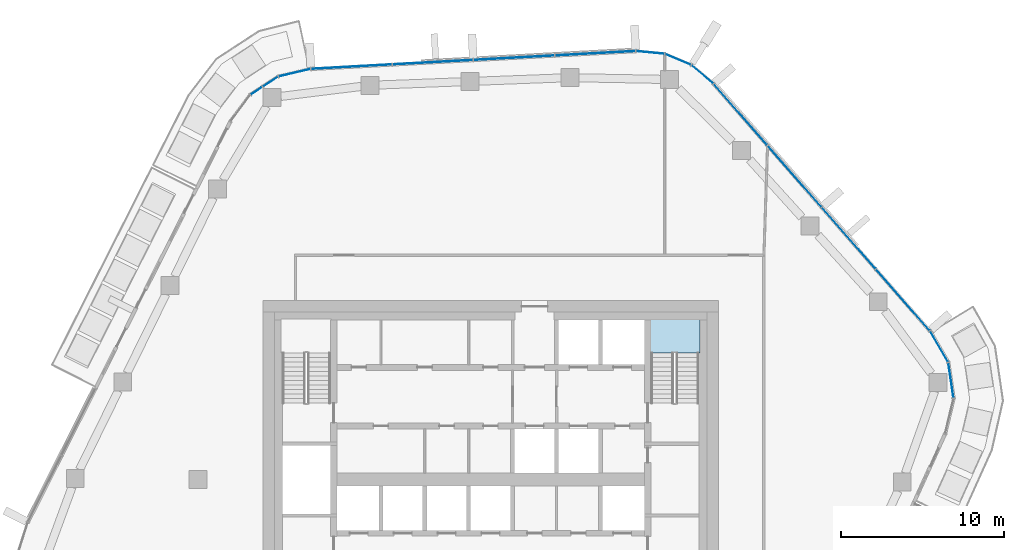
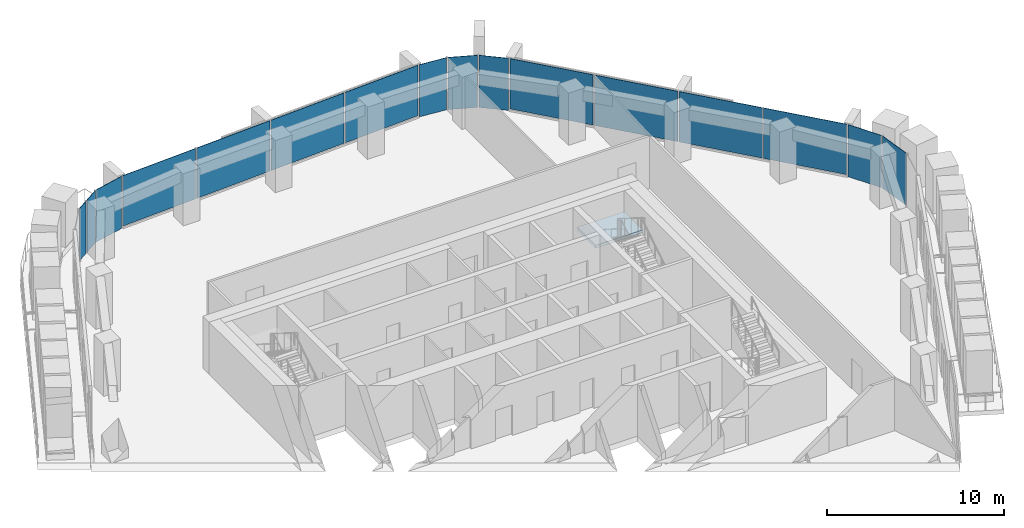
# One storey, part 10 of 21: 16 plates, 1 slab, 7 elements without a shape of their own.
"""IFC4 building model written with IfcOpenShell, lengths in metres."""

from ifc_helpers import new_model, si_unit, direction, frame, origin, origin_2d, place, context, subcontext, project, spatial, polyline, rectangle, outline, extrude, material, layer, layer_set, type_object, element, aggregate, save


model = new_model("IFC4")

# Units and contexts
model_context = context("Model", 3, precision=1e-05, world=origin(), true_north=direction((0.0, 1.0)))
body_context = subcontext(model_context, "Body", "Model", "MODEL_VIEW")
ifc_project = project(units=[si_unit("LENGTHUNIT", "METRE"), si_unit("AREAUNIT", "SQUARE_METRE"), si_unit("VOLUMEUNIT", "CUBIC_METRE"), si_unit("PLANEANGLEUNIT", "RADIAN"), si_unit("MASSUNIT", "GRAM", prefix="KILO")], contexts=[model_context])

# Site, building, storey
site_placement = place(None, origin())
site = spatial("IfcSite", under=ifc_project, at=site_placement, CompositionType="ELEMENT")
building_placement = place(site_placement, origin())
building = spatial("IfcBuilding", under=site, at=building_placement, Name="Dongbaek Canopy Tower", CompositionType="ELEMENT")
storey_placement = place(building_placement, frame((0.0, 0.0, 279.0)))
storey = spatial("IfcBuildingStorey", under=building, at=storey_placement, Name="L59", CompositionType="ELEMENT", Elevation=279.0)

# Curtain wall, plates
ifc_material_1 = material(Name="Aluminium 6063-T6 pale anodised", Category="aluminium")
ifc_layer_1 = layer(ifc_material_1, 0.199951171875)
ifc_layer_set_1 = layer_set([ifc_layer_1], Name="CW-1 unitised tower curtain wall")
curtain_wall_type = type_object("IfcCurtainWallType", Name="CW-1 unitised tower curtain wall", PredefinedType="NOTDEFINED", material=ifc_layer_set_1)
curtain_wall_1_placement = place(storey_placement, origin())
curtain_wall_1 = element("IfcCurtainWall", 1, at=curtain_wall_1_placement, inside=storey, type_object=curtain_wall_type, Name="CW-1 curtain wall K0.1", PredefinedType="NOTDEFINED")
ifc_material_2 = material(Name="Clear laminated glass", Category="glass")
ifc_layer_2 = layer(ifc_material_2, 0.028076171875)
ifc_layer_set_2 = layer_set([ifc_layer_2], Name="CW-1 glazed panel 28")
plate_type = type_object("IfcPlateType", Name="CW-1 glazed panel 28", PredefinedType="CURTAIN_PANEL", material=ifc_layer_set_2)
plate_1_placement = place(storey_placement, frame((28.2978515625, 6.101806640625, 0.0), z_axis=(0.0, 0.0, 1.0), x_axis=(-0.14581140322, 0.989312405002, 0.0)))
plate_1 = element("IfcPlate", 2, at=plate_1_placement, type_object=plate_type, Name="CW-1 panel K0.1.2.1", PredefinedType="CURTAIN_PANEL", context=body_context, shape_type="SweptSolid", body=[
    extrude(rectangle(XDim=2.155517578125, YDim=0.028076171875, at=origin_2d()), origin(), (0.0, 0.0, 1.0), 3.60009765625),
])
plate_2_placement = place(storey_placement, frame((27.567626953125, 8.180908203125, 0.0), z_axis=(0.0, 0.0, 1.0), x_axis=(-0.504092961895, 0.863649399796, 0.0)))
plate_2 = element("IfcPlate", 3, at=plate_2_placement, type_object=plate_type, Name="CW-1 panel K0.1.3.1", PredefinedType="CURTAIN_PANEL", context=body_context, shape_type="SweptSolid", body=[
    extrude(rectangle(XDim=2.165283203125, YDim=0.028076171875, at=origin_2d()), origin(), (0.0, 0.0, 1.0), 3.60009765625),
])
aggregate(curtain_wall_1, [plate_1, plate_2])

curtain_wall_2_placement = place(storey_placement, origin())
curtain_wall_2 = element("IfcCurtainWall", 4, at=curtain_wall_2_placement, inside=storey, type_object=curtain_wall_type, Name="CW-1 curtain wall F0.1", PredefinedType="NOTDEFINED")
plate_3_placement = place(storey_placement, frame((25.340087890625, 11.04833984375, 0.1201171875), z_axis=(0.0, 0.0, 1.0), x_axis=(-0.658881235735, 0.752246978855, 0.0)))
plate_3 = element("IfcPlate", 5, at=plate_3_placement, type_object=plate_type, Name="CW-1 panel F0.1.1.1", PredefinedType="CURTAIN_PANEL", context=body_context, shape_type="SweptSolid", body=[
    extrude(rectangle(XDim=4.95703125, YDim=0.028076171875, at=origin_2d()), origin(), (0.0, 0.0, 1.0), 3.47998046875),
])
plate_4_placement = place(storey_placement, frame((22.015380859375, 14.843994140625, 0.1201171875), z_axis=(0.0, 0.0, 1.0), x_axis=(-0.658881235735, 0.752246978855, 0.0)))
plate_4 = element("IfcPlate", 6, at=plate_4_placement, type_object=plate_type, Name="CW-1 panel F0.1.2.1", PredefinedType="CURTAIN_PANEL", context=body_context, shape_type="SweptSolid", body=[
    extrude(rectangle(XDim=4.966796875, YDim=0.028076171875, at=origin_2d()), origin(), (0.0, 0.0, 1.0), 3.47998046875),
])
plate_5_placement = place(storey_placement, frame((18.6875, 18.643310546875, 0.1201171875), z_axis=(0.0, 0.0, 1.0), x_axis=(-0.658881235735, 0.752246978855, 0.0)))
plate_5 = element("IfcPlate", 7, at=plate_5_placement, type_object=plate_type, Name="CW-1 panel F0.1.3.1", PredefinedType="CURTAIN_PANEL", context=body_context, shape_type="SweptSolid", body=[
    extrude(rectangle(XDim=4.966796875, YDim=0.028076171875, at=origin_2d()), origin(), (0.0, 0.0, 1.0), 3.47998046875),
])
plate_6_placement = place(storey_placement, frame((15.362060546875, 22.43994140625, 0.1201171875), z_axis=(0.0, 0.0, 1.0), x_axis=(-0.658881235735, 0.752246978855, 0.0)))
plate_6 = element("IfcPlate", 8, at=plate_6_placement, type_object=plate_type, Name="CW-1 panel F0.1.4.1", PredefinedType="CURTAIN_PANEL", context=body_context, shape_type="SweptSolid", body=[
    extrude(rectangle(XDim=4.959228515625, YDim=0.028076171875, at=origin_2d()), origin(), (0.0, 0.0, 1.0), 3.47998046875),
])
aggregate(curtain_wall_2, [plate_3, plate_4, plate_5, plate_6])

curtain_wall_3_placement = place(storey_placement, origin())
curtain_wall_3 = element("IfcCurtainWall", 9, at=curtain_wall_3_placement, inside=storey, type_object=curtain_wall_type, Name="CW-1 curtain wall K1.1", PredefinedType="NOTDEFINED")
plate_7_placement = place(storey_placement, frame((13.01904296875, 24.911376953125, 0.0), z_axis=(0.0, 0.0, 1.0), x_axis=(-0.764577382516, 0.644531943464, 0.0)))
plate_7 = element("IfcPlate", 10, at=plate_7_placement, type_object=plate_type, Name="CW-1 panel K1.1.1.1", PredefinedType="CURTAIN_PANEL", context=body_context, shape_type="SweptSolid", body=[
    extrude(rectangle(XDim=1.698974609375, YDim=0.028076171875, at=origin_2d()), origin(), (0.0, 0.0, 1.0), 3.60009765625),
])
plate_8_placement = place(storey_placement, frame((11.519287109375, 25.830322265625, 0.0), z_axis=(0.0, 0.0, 1.0), x_axis=(-0.921721164956, 0.387853186234, 0.0)))
plate_8 = element("IfcPlate", 11, at=plate_8_placement, type_object=plate_type, Name="CW-1 panel K1.1.2.1", PredefinedType="CURTAIN_PANEL", context=body_context, shape_type="SweptSolid", body=[
    extrude(rectangle(XDim=1.69140625, YDim=0.028076171875, at=origin_2d()), origin(), (0.0, 0.0, 1.0), 3.60009765625),
])
plate_9_placement = place(storey_placement, frame((9.813720703125, 26.26025390625, 0.0), z_axis=(0.0, 0.0, 1.0), x_axis=(-0.995377146905, 0.09604340383, 0.0)))
plate_9 = element("IfcPlate", 12, at=plate_9_placement, type_object=plate_type, Name="CW-1 panel K1.1.3.1", PredefinedType="CURTAIN_PANEL", context=body_context, shape_type="SweptSolid", body=[
    extrude(rectangle(XDim=1.698974609375, YDim=0.028076171875, at=origin_2d()), origin(), (0.0, 0.0, 1.0), 3.60009765625),
])
aggregate(curtain_wall_3, [plate_7, plate_8, plate_9])

curtain_wall_4_placement = place(storey_placement, origin())
curtain_wall_4 = element("IfcCurtainWall", 13, at=curtain_wall_4_placement, inside=storey, type_object=curtain_wall_type, Name="CW-1 curtain wall F1.1", PredefinedType="NOTDEFINED")
plate_10_placement = place(storey_placement, frame((6.43115234375, 26.208740234375, 0.1201171875), z_axis=(0.0, 0.0, 1.0), x_axis=(-0.998495395292, -0.054835623277, 0.0)))
plate_10 = element("IfcPlate", 14, at=plate_10_placement, type_object=plate_type, Name="CW-1 panel F1.1.1.1", PredefinedType="CURTAIN_PANEL", context=body_context, shape_type="SweptSolid", body=[
    extrude(rectangle(XDim=4.913818359375, YDim=0.028076171875, at=origin_2d()), origin(), (0.0, 0.0, 1.0), 3.47998046875),
])
plate_11_placement = place(storey_placement, frame((1.437255859375, 25.9345703125, 0.1201171875), z_axis=(0.0, 0.0, 1.0), x_axis=(-0.998495395292, -0.054835623277, 0.0)))
plate_11 = element("IfcPlate", 15, at=plate_11_placement, type_object=plate_type, Name="CW-1 panel F1.1.2.1", PredefinedType="CURTAIN_PANEL", context=body_context, shape_type="SweptSolid", body=[
    extrude(rectangle(XDim=4.92138671875, YDim=0.028076171875, at=origin_2d()), origin(), (0.0, 0.0, 1.0), 3.47998046875),
])
plate_12_placement = place(storey_placement, frame((-3.560546875, 25.659912109375, 0.1201171875), z_axis=(0.0, 0.0, 1.0), x_axis=(-0.998495395292, -0.054835623277, 0.0)))
plate_12 = element("IfcPlate", 16, at=plate_12_placement, type_object=plate_type, Name="CW-1 panel F1.1.3.1", PredefinedType="CURTAIN_PANEL", context=body_context, shape_type="SweptSolid", body=[
    extrude(rectangle(XDim=4.92138671875, YDim=0.028076171875, at=origin_2d()), origin(), (0.0, 0.0, 1.0), 3.47998046875),
])
plate_13_placement = place(storey_placement, frame((-8.55419921875, 25.3857421875, 0.1201171875), z_axis=(0.0, 0.0, 1.0), x_axis=(-0.998495395292, -0.054835623277, 0.0)))
plate_13 = element("IfcPlate", 17, at=plate_13_placement, type_object=plate_type, Name="CW-1 panel F1.1.4.1", PredefinedType="CURTAIN_PANEL", context=body_context, shape_type="SweptSolid", body=[
    extrude(rectangle(XDim=4.91259765625, YDim=0.028076171875, at=origin_2d()), origin(), (0.0, 0.0, 1.0), 3.47998046875),
])
aggregate(curtain_wall_4, [plate_10, plate_11, plate_12, plate_13])

curtain_wall_5_placement = place(storey_placement, origin())
curtain_wall_5 = element("IfcCurtainWall", 18, at=curtain_wall_5_placement, inside=storey, type_object=curtain_wall_type, Name="CW-1 curtain wall K2.1a", PredefinedType="NOTDEFINED")
plate_14_placement = place(storey_placement, frame((-12.05126953125, 25.0146484375, 0.0), z_axis=(0.0, 0.0, 1.0), x_axis=(-0.973773651863, -0.227518955118, 0.0)))
plate_14 = element("IfcPlate", 19, at=plate_14_placement, type_object=plate_type, Name="CW-1 panel K2.1a.1.1", PredefinedType="CURTAIN_PANEL", context=body_context, shape_type="SweptSolid", body=[
    extrude(rectangle(XDim=1.974853515625, YDim=0.028076171875, at=origin_2d()), origin(), (0.0, 0.0, 1.0), 3.60009765625),
])
plate_15_placement = place(storey_placement, frame((-13.5361328125, 24.465087890625, 0.0), z_axis=(0.0, 0.0, 1.0), x_axis=(-0.837086371083, -0.547070751682, 0.0)))
plate_15 = element("IfcPlate", 20, at=plate_15_placement, type_object=plate_type, Name="CW-1 panel K2.1a.2.1", PredefinedType="CURTAIN_PANEL", context=body_context, shape_type="SweptSolid", body=[
    extrude(rectangle(XDim=1.068603515625, YDim=0.028076171875, at=origin_2d()), origin(), (0.0, 0.0, 1.0), 3.60009765625),
])
aggregate(curtain_wall_5, [plate_14, plate_15])

# Curtain wall, plate
curtain_wall_6_placement = place(storey_placement, origin())
curtain_wall_6 = element("IfcCurtainWall", 21, at=curtain_wall_6_placement, inside=storey, type_object=curtain_wall_type, Name="CW-1 curtain wall K2.1b", PredefinedType="NOTDEFINED")
plate_16_placement = place(storey_placement, frame((-14.41650390625, 23.8896484375, 0.0), z_axis=(0.0, 0.0, 1.0), x_axis=(-0.837086371083, -0.547070751682, 0.0)))
plate_16 = element("IfcPlate", 22, at=plate_16_placement, type_object=plate_type, Name="CW-1 panel K2.1b.1.1", PredefinedType="CURTAIN_PANEL", context=body_context, shape_type="SweptSolid", body=[
    extrude(rectangle(XDim=0.760009765625, YDim=0.028076171875, at=origin_2d()), origin(), (0.0, 0.0, 1.0), 3.60009765625),
])
aggregate(curtain_wall_6, [plate_16])

# Stair, slab
ifc_material_3 = material(Name="Concrete C40/50", Category="concrete")
stair_type = type_object("IfcStairType", Name="Core exit stair", PredefinedType="HALF_TURN_STAIR", material=ifc_material_3)
stair_placement = place(storey_placement, origin())
stair = element("IfcStair", 23, at=stair_placement, inside=storey, type_object=stair_type, Name="L59 exit stair A", PredefinedType="HALF_TURN_STAIR")
ifc_material_4 = material(Name="Concrete C40/50", Category="concrete")
ifc_layer_3 = layer(ifc_material_4, 0.199951171875)
ifc_layer_set_3 = layer_set([ifc_layer_3], Name="Core stair landing 200")
slab_type = type_object("IfcSlabType", Name="Core stair landing 200", PredefinedType="LANDING", material=ifc_layer_set_3)
slab_placement = place(storey_placement, frame((0.0, 0.0, 1.89990234375)))
slab = element("IfcSlab", 24, at=slab_placement, type_object=slab_type, Name="ST-A landing 1", PredefinedType="LANDING", context=body_context, shape_type="SweptSolid", body=[
    extrude(outline(polyline([(12.875, 7.780029296875), (12.875, 9.875), (9.77490234375, 9.875), (9.77490234375, 7.780029296875), (12.875, 7.780029296875)])), origin(), (0.0, 0.0, 1.0), 0.2001953125),
])
aggregate(stair, [slab])

save(model, "model.ifc")
